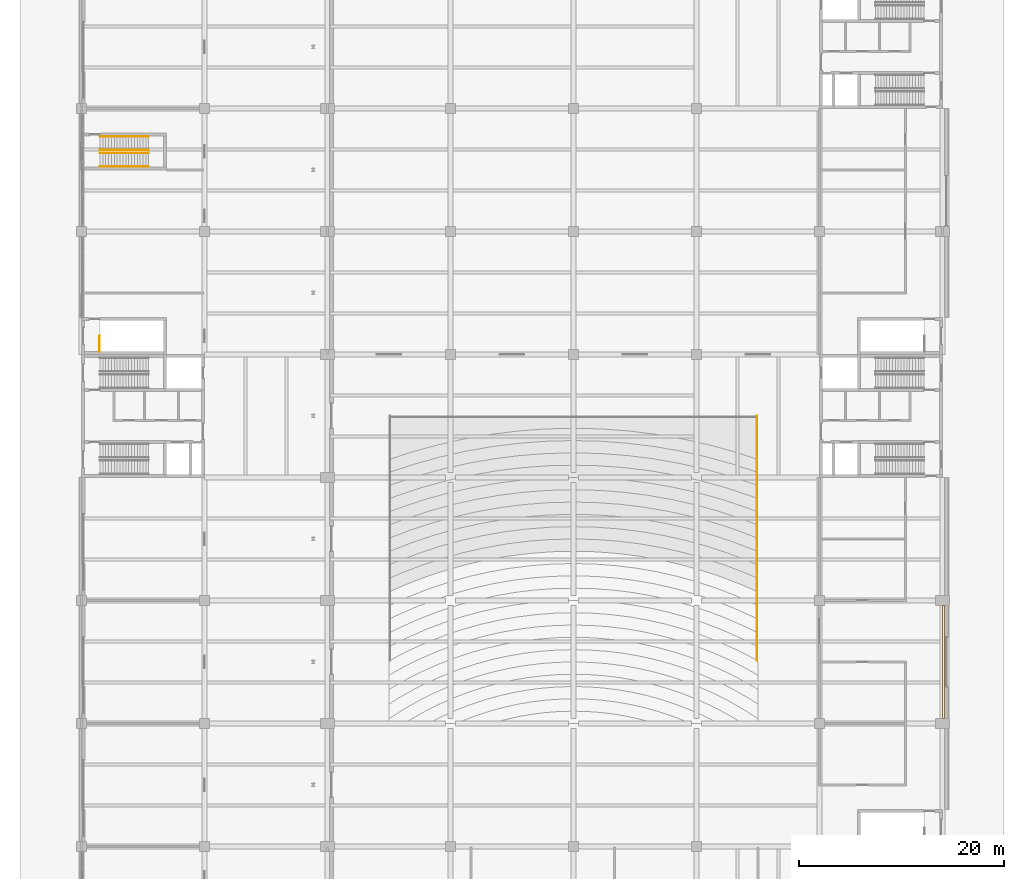
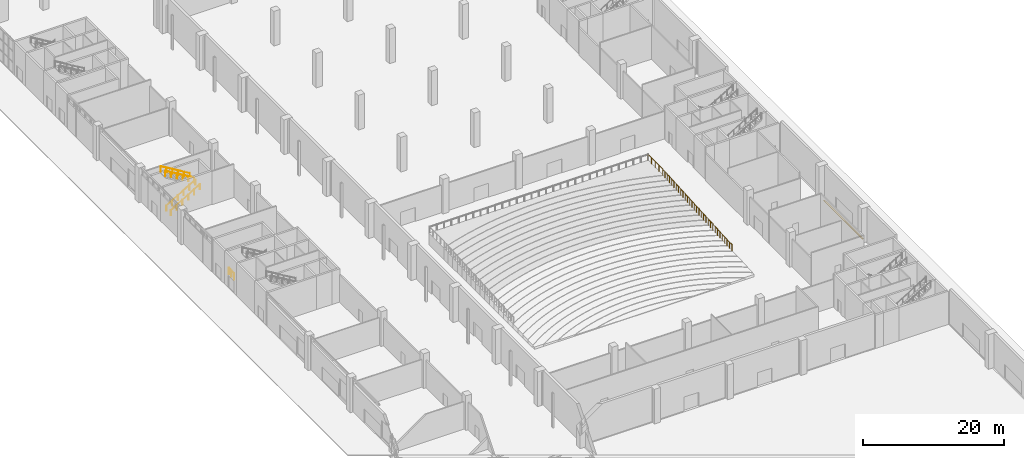
# One storey, part 56 of 59: 6 railings, 1 covering.
"""IFC4 building model written with IfcOpenShell, lengths in metres."""

from ifc_helpers import new_model, si_unit, direction, frame, origin, origin_2d, place, context, subcontext, project, spatial, polyline, circle, outline, extrude, material, layer, layer_set, constituent, constituent_set, type_object, element, save


model = new_model("IFC4")

# Units and contexts
model_context = context("Model", 3, precision=1e-05, world=origin(), true_north=direction((0.0, 1.0)))
body_context = subcontext(model_context, "Body", "Model", "MODEL_VIEW")
ifc_project = project(units=[si_unit("LENGTHUNIT", "METRE"), si_unit("AREAUNIT", "SQUARE_METRE"), si_unit("VOLUMEUNIT", "CUBIC_METRE"), si_unit("PLANEANGLEUNIT", "RADIAN"), si_unit("MASSUNIT", "GRAM", prefix="KILO")], contexts=[model_context])

# Site, building, storey
site_placement = place(None, origin())
site = spatial("IfcSite", under=ifc_project, at=site_placement, CompositionType="ELEMENT")
building_placement = place(site_placement, origin())
building = spatial("IfcBuilding", under=site, at=building_placement, Name="Lilac Gate Convention Centre", CompositionType="ELEMENT")
storey_placement = place(building_placement, origin())
storey = spatial("IfcBuildingStorey", under=building, at=storey_placement, Name="L00", CompositionType="ELEMENT", Elevation=0.0)

# Railing
ifc_material_1 = material(Name="Steel Q235B", Category="steel")
ifc_constituent_1 = constituent(ifc_material_1, Name="Frame")
ifc_material_2 = material(Name="Safety glass, bonded interlayer", Category="glass")
ifc_constituent_2 = constituent(ifc_material_2, Name="Infill")
ifc_constituent_set = constituent_set(constituents=[ifc_constituent_1, ifc_constituent_2], Name="Steel Q235B, Safety glass, bonded interlayer")
railing_type_1 = type_object("IfcRailingType", Name="Guard 1100 steel and glass", PredefinedType="GUARDRAIL", material=ifc_constituent_set)
railing_1_placement = place(storey_placement, frame((7.75, 162.300048828125, 0.0)))
element("IfcRailing", 1, at=railing_1_placement, inside=storey, type_object=railing_type_1, Name="Stairwell guard BW3", PredefinedType="GUARDRAIL", context=body_context, shape_type="SweptSolid", body=[
    extrude(circle(Radius=0.02392578125, at=origin_2d()), frame((0.0, 0.0, 1.076171875), z_axis=(0.0, 1.0, 0.0), x_axis=(-1.0, 0.0, 0.0)), (0.0, 0.0, 1.0), 1.5),
    extrude(circle(Radius=0.02099609375, at=origin_2d()), origin(), (0.0, 0.0, 1.0), 1.052001953125),
    extrude(circle(Radius=0.02099609375, at=origin_2d()), frame((0.0, 0.75, 0.0)), (0.0, 0.0, 1.0), 1.052001953125),
    extrude(circle(Radius=0.02099609375, at=origin_2d()), frame((0.0, 1.5, 0.0)), (0.0, 0.0, 1.0), 1.052001953125),
])

# Covering
ifc_material_3 = material(Name="Concrete C30", Category="concrete")
ifc_layer = layer(ifc_material_3, 0.14990234375)
ifc_layer_set = layer_set([ifc_layer], Name="Concrete C30")
covering_type = type_object("IfcCoveringType", Name="Paving slab 150", PredefinedType="FLOORING", material=ifc_layer_set)
covering_placement = place(storey_placement, frame((0.0, 0.0, -0.14990234375)))
element("IfcCovering", 2, at=covering_placement, inside=storey, type_object=covering_type, Name="Lane paving east 7", PredefinedType="FLOORING", context=body_context, shape_type="SweptSolid", body=[
    extrude(outline(polyline([(90.0, 137.5), (90.199951171875, 137.5), (90.199951171875, 126.5), (90.0, 126.5), (90.0, 137.5)])), origin(), (0.0, 0.0, 1.0), 0.14990234375),
])

# Railings
ifc_material_4 = material(Name="Stainless steel 304", Category="steel")
railing_type_2 = type_object("IfcRailingType", Name="Stair handrail 900", PredefinedType="HANDRAIL", material=ifc_material_4)
for number, where, name in (
    (3, (7.800048828125, 180.35009765625, 0.166748046875), "Stair handrail UW2"),
    (4, (7.800048828125, 181.64990234375, 0.166748046875), "Stair handrail UW2"),
):
    element("IfcRailing", number, at=place(storey_placement, frame(where)), inside=storey, type_object=railing_type_2, Name=name, PredefinedType="HANDRAIL", context=body_context, shape_type="SweptSolid", body=[
        extrude(circle(Radius=0.02392578125, at=origin_2d()), frame((0.0, 0.0, 0.8759765625), z_axis=(0.859299802514, 0.0, 0.511472237174), x_axis=(0.0, 1.0, 0.0)), (0.0, 0.0, 1.0), 5.539306640625),
        extrude(circle(Radius=0.02099609375, at=origin_2d()), origin(), (0.0, 0.0, 1.0), 0.851806640625),
        extrude(circle(Radius=0.02099609375, at=origin_2d()), frame((0.951904296875, 0.0, 0.566650390625)), (0.0, 0.0, 1.0), 0.851806640625),
        extrude(circle(Radius=0.02099609375, at=origin_2d()), frame((1.904052734375, 0.0, 1.13330078125)), (0.0, 0.0, 1.0), 0.851806640625),
        extrude(circle(Radius=0.02099609375, at=origin_2d()), frame((2.85595703125, 0.0, 1.699951171875)), (0.0, 0.0, 1.0), 0.851806640625),
        extrude(circle(Radius=0.02099609375, at=origin_2d()), frame((3.80810546875, 0.0, 2.2666015625)), (0.0, 0.0, 1.0), 0.851806640625),
        extrude(circle(Radius=0.02099609375, at=origin_2d()), frame((4.760009765625, 0.0, 2.833251953125)), (0.0, 0.0, 1.0), 0.851806640625),
    ])
for number, where, name in (
    (5, (12.56005859375, 181.949951171875, 3.166748046875), "Stair handrail UW2"),
    (6, (12.56005859375, 183.25, 3.166748046875), "Stair handrail UW2"),
):
    element("IfcRailing", number, at=place(storey_placement, frame(where)), inside=storey, type_object=railing_type_2, Name=name, PredefinedType="HANDRAIL", context=body_context, shape_type="SweptSolid", body=[
        extrude(circle(Radius=0.02392578125, at=origin_2d()), frame((0.0, 0.0, 0.8759765625), z_axis=(-0.859299802514, 0.0, 0.511472237174), x_axis=(0.0, -1.0, 0.0)), (0.0, 0.0, 1.0), 5.539306640625),
        extrude(circle(Radius=0.02099609375, at=origin_2d()), origin(), (0.0, 0.0, 1.0), 0.851806640625),
        extrude(circle(Radius=0.02099609375, at=origin_2d()), frame((-0.951904296875, 0.0, 0.566650390625)), (0.0, 0.0, 1.0), 0.851806640625),
        extrude(circle(Radius=0.02099609375, at=origin_2d()), frame((-1.904052734375, 0.0, 1.13330078125)), (0.0, 0.0, 1.0), 0.851806640625),
        extrude(circle(Radius=0.02099609375, at=origin_2d()), frame((-2.85595703125, 0.0, 1.699951171875)), (0.0, 0.0, 1.0), 0.851806640625),
        extrude(circle(Radius=0.02099609375, at=origin_2d()), frame((-3.80810546875, 0.0, 2.2666015625)), (0.0, 0.0, 1.0), 0.851806640625),
        extrude(circle(Radius=0.02099609375, at=origin_2d()), frame((-4.760009765625, 0.0, 2.833251953125)), (0.0, 0.0, 1.0), 0.851806640625),
    ])
ifc_material_5 = material(Name="Steel Q355B", Category="steel")
railing_type_3 = type_object("IfcRailingType", Name="Stalls guard 1100", PredefinedType="GUARDRAIL", material=ifc_material_5)
railing_2_placement = place(storey_placement, frame((71.89990234375, 132.1416015625, 0.800048828125)))
element("IfcRailing", 7, at=railing_2_placement, inside=storey, type_object=railing_type_3, Name="GD1 stalls east guard", PredefinedType="GUARDRAIL", context=body_context, shape_type="SweptSolid", body=[
    extrude(circle(Radius=0.02392578125, at=origin_2d()), frame((0.0, 0.0, 1.076171875), z_axis=(0.0, 1.0, 0.0), x_axis=(-1.0, 0.0, 0.0)), (0.0, 0.0, 1.0), 1.3779296875),
    extrude(circle(Radius=0.02392578125, at=origin_2d()), frame((0.0, 1.3779296875, 1.076171875), z_axis=(0.0, 0.0, 1.0), x_axis=(1.0, 0.0, 0.0)), (0.0, 0.0, 1.0), 0.079833984375),
    extrude(circle(Radius=0.02392578125, at=origin_2d()), frame((0.0, 1.3779296875, 1.15576171875), z_axis=(0.0, 1.0, 0.0), x_axis=(-1.0, 0.0, 0.0)), (0.0, 0.0, 1.0), 1.343017578125),
    extrude(circle(Radius=0.02392578125, at=origin_2d()), frame((0.0, 2.720947265625, 1.15576171875), z_axis=(0.0, 0.0, 1.0), x_axis=(1.0, 0.0, 0.0)), (0.0, 0.0, 1.0), 0.080078125),
    extrude(circle(Radius=0.02392578125, at=origin_2d()), frame((0.0, 2.720947265625, 1.23583984375), z_axis=(0.0, 1.0, 0.0), x_axis=(-1.0, 0.0, 0.0)), (0.0, 0.0, 1.0), 1.343017578125),
    extrude(circle(Radius=0.02392578125, at=origin_2d()), frame((0.0, 4.06396484375, 1.23583984375), z_axis=(0.0, 0.0, 1.0), x_axis=(1.0, 0.0, 0.0)), (0.0, 0.0, 1.0), 0.080078125),
    extrude(circle(Radius=0.02392578125, at=origin_2d()), frame((0.0, 4.06396484375, 1.31591796875), z_axis=(0.0, 1.0, 0.0), x_axis=(-1.0, 0.0, 0.0)), (0.0, 0.0, 1.0), 1.34326171875),
    extrude(circle(Radius=0.02392578125, at=origin_2d()), frame((0.0, 5.4072265625, 1.31591796875), z_axis=(0.0, 0.0, 1.0), x_axis=(1.0, 0.0, 0.0)), (0.0, 0.0, 1.0), 0.080078125),
    extrude(circle(Radius=0.02392578125, at=origin_2d()), frame((0.0, 5.4072265625, 1.39599609375), z_axis=(0.0, 1.0, 0.0), x_axis=(-1.0, 0.0, 0.0)), (0.0, 0.0, 1.0), 1.31884765625),
    extrude(circle(Radius=0.02392578125, at=origin_2d()), frame((0.0, 6.72607421875, 1.39599609375), z_axis=(0.0, 0.0, 1.0), x_axis=(1.0, 0.0, 0.0)), (0.0, 0.0, 1.0), 0.079833984375),
    extrude(circle(Radius=0.02392578125, at=origin_2d()), frame((0.0, 6.72607421875, 1.47607421875), z_axis=(0.0, 1.0, 0.0), x_axis=(-1.0, 0.0, 0.0)), (0.0, 0.0, 1.0), 1.312255859375),
    extrude(circle(Radius=0.02392578125, at=origin_2d()), frame((0.0, 8.038330078125, 1.47607421875), z_axis=(0.0, 0.0, 1.0), x_axis=(1.0, 0.0, 0.0)), (0.0, 0.0, 1.0), 0.080078125),
    extrude(circle(Radius=0.02392578125, at=origin_2d()), frame((0.0, 8.038330078125, 1.55615234375), z_axis=(0.0, 1.0, 0.0), x_axis=(-1.0, 0.0, 0.0)), (0.0, 0.0, 1.0), 1.312255859375),
    extrude(circle(Radius=0.02392578125, at=origin_2d()), frame((0.0, 9.3505859375, 1.55615234375), z_axis=(0.0, 0.0, 1.0), x_axis=(1.0, 0.0, 0.0)), (0.0, 0.0, 1.0), 0.080078125),
    extrude(circle(Radius=0.02392578125, at=origin_2d()), frame((0.0, 9.3505859375, 1.63623046875), z_axis=(0.0, 1.0, 0.0), x_axis=(-1.0, 0.0, 0.0)), (0.0, 0.0, 1.0), 1.312255859375),
    extrude(circle(Radius=0.02392578125, at=origin_2d()), frame((0.0, 10.662841796875, 1.63623046875), z_axis=(0.0, 0.0, 1.0), x_axis=(1.0, 0.0, 0.0)), (0.0, 0.0, 1.0), 0.079833984375),
    extrude(circle(Radius=0.02392578125, at=origin_2d()), frame((0.0, 10.662841796875, 1.7158203125), z_axis=(0.0, 1.0, 0.0), x_axis=(-1.0, 0.0, 0.0)), (0.0, 0.0, 1.0), 1.2939453125),
    extrude(circle(Radius=0.02392578125, at=origin_2d()), frame((0.0, 11.956787109375, 1.7158203125), z_axis=(0.0, 0.0, 1.0), x_axis=(1.0, 0.0, 0.0)), (0.0, 0.0, 1.0), 0.080078125),
    extrude(circle(Radius=0.02392578125, at=origin_2d()), frame((0.0, 11.956787109375, 1.7958984375), z_axis=(0.0, 1.0, 0.0), x_axis=(-1.0, 0.0, 0.0)), (0.0, 0.0, 1.0), 1.285888671875),
    extrude(circle(Radius=0.02392578125, at=origin_2d()), frame((0.0, 13.24267578125, 1.7958984375), z_axis=(0.0, 0.0, 1.0), x_axis=(1.0, 0.0, 0.0)), (0.0, 0.0, 1.0), 0.080078125),
    extrude(circle(Radius=0.02392578125, at=origin_2d()), frame((0.0, 13.24267578125, 1.8759765625), z_axis=(0.0, 1.0, 0.0), x_axis=(-1.0, 0.0, 0.0)), (0.0, 0.0, 1.0), 1.285888671875),
    extrude(circle(Radius=0.02392578125, at=origin_2d()), frame((0.0, 14.528564453125, 1.8759765625), z_axis=(0.0, 0.0, 1.0), x_axis=(1.0, 0.0, 0.0)), (0.0, 0.0, 1.0), 0.079833984375),
    extrude(circle(Radius=0.02392578125, at=origin_2d()), frame((0.0, 14.528564453125, 1.9560546875), z_axis=(0.0, 1.0, 0.0), x_axis=(-1.0, 0.0, 0.0)), (0.0, 0.0, 1.0), 1.28564453125),
    extrude(circle(Radius=0.02392578125, at=origin_2d()), frame((0.0, 15.814208984375, 1.9560546875), z_axis=(0.0, 0.0, 1.0), x_axis=(1.0, 0.0, 0.0)), (0.0, 0.0, 1.0), 0.080078125),
    extrude(circle(Radius=0.02392578125, at=origin_2d()), frame((0.0, 15.814208984375, 2.0361328125), z_axis=(0.0, 1.0, 0.0), x_axis=(-1.0, 0.0, 0.0)), (0.0, 0.0, 1.0), 1.285888671875),
    extrude(circle(Radius=0.02392578125, at=origin_2d()), frame((0.0, 17.10009765625, 2.0361328125), z_axis=(0.0, 0.0, 1.0), x_axis=(1.0, 0.0, 0.0)), (0.0, 0.0, 1.0), 0.080078125),
    extrude(circle(Radius=0.02392578125, at=origin_2d()), frame((0.0, 17.10009765625, 2.1162109375), z_axis=(0.0, 1.0, 0.0), x_axis=(-1.0, 0.0, 0.0)), (0.0, 0.0, 1.0), 1.277099609375),
    extrude(circle(Radius=0.02392578125, at=origin_2d()), frame((0.0, 18.377197265625, 2.1162109375), z_axis=(0.0, 0.0, 1.0), x_axis=(1.0, 0.0, 0.0)), (0.0, 0.0, 1.0), 0.079833984375),
    extrude(circle(Radius=0.02392578125, at=origin_2d()), frame((0.0, 18.377197265625, 2.19580078125), z_axis=(0.0, 1.0, 0.0), x_axis=(-1.0, 0.0, 0.0)), (0.0, 0.0, 1.0), 1.263427734375),
    extrude(circle(Radius=0.02392578125, at=origin_2d()), frame((0.0, 19.640625, 2.19580078125), z_axis=(0.0, 0.0, 1.0), x_axis=(1.0, 0.0, 0.0)), (0.0, 0.0, 1.0), 0.080078125),
    extrude(circle(Radius=0.02392578125, at=origin_2d()), frame((0.0, 19.640625, 2.27587890625), z_axis=(0.0, 1.0, 0.0), x_axis=(-1.0, 0.0, 0.0)), (0.0, 0.0, 1.0), 4.2177734375),
    extrude(circle(Radius=0.02099609375, at=origin_2d()), origin(), (0.0, 0.0, 1.0), 1.052001953125),
    extrude(circle(Radius=0.02099609375, at=origin_2d()), frame((0.0, 0.68896484375, 0.0)), (0.0, 0.0, 1.0), 1.052001953125),
    extrude(circle(Radius=0.02099609375, at=origin_2d()), frame((0.0, 1.3779296875, 0.0)), (0.0, 0.0, 1.0), 1.052001953125),
    extrude(circle(Radius=0.02099609375, at=origin_2d()), frame((0.0, 1.3779296875, 0.079833984375)), (0.0, 0.0, 1.0), 1.052001953125),
    extrude(circle(Radius=0.02099609375, at=origin_2d()), frame((0.0, 2.04931640625, 0.079833984375)), (0.0, 0.0, 1.0), 1.052001953125),
    extrude(circle(Radius=0.02099609375, at=origin_2d()), frame((0.0, 2.720947265625, 0.079833984375)), (0.0, 0.0, 1.0), 1.052001953125),
    extrude(circle(Radius=0.02099609375, at=origin_2d()), frame((0.0, 2.720947265625, 0.159912109375)), (0.0, 0.0, 1.0), 1.052001953125),
    extrude(circle(Radius=0.02099609375, at=origin_2d()), frame((0.0, 3.392578125, 0.159912109375)), (0.0, 0.0, 1.0), 1.052001953125),
    extrude(circle(Radius=0.02099609375, at=origin_2d()), frame((0.0, 4.06396484375, 0.159912109375)), (0.0, 0.0, 1.0), 1.052001953125),
    extrude(circle(Radius=0.02099609375, at=origin_2d()), frame((0.0, 4.06396484375, 0.239990234375)), (0.0, 0.0, 1.0), 1.052001953125),
    extrude(circle(Radius=0.02099609375, at=origin_2d()), frame((0.0, 4.735595703125, 0.239990234375)), (0.0, 0.0, 1.0), 1.052001953125),
    extrude(circle(Radius=0.02099609375, at=origin_2d()), frame((0.0, 5.4072265625, 0.239990234375)), (0.0, 0.0, 1.0), 1.052001953125),
    extrude(circle(Radius=0.02099609375, at=origin_2d()), frame((0.0, 5.4072265625, 0.320068359375)), (0.0, 0.0, 1.0), 1.052001953125),
    extrude(circle(Radius=0.02099609375, at=origin_2d()), frame((0.0, 6.066650390625, 0.320068359375)), (0.0, 0.0, 1.0), 1.052001953125),
    extrude(circle(Radius=0.02099609375, at=origin_2d()), frame((0.0, 6.72607421875, 0.320068359375)), (0.0, 0.0, 1.0), 1.052001953125),
    extrude(circle(Radius=0.02099609375, at=origin_2d()), frame((0.0, 6.72607421875, 0.39990234375)), (0.0, 0.0, 1.0), 1.052001953125),
    extrude(circle(Radius=0.02099609375, at=origin_2d()), frame((0.0, 7.38232421875, 0.39990234375)), (0.0, 0.0, 1.0), 1.052001953125),
    extrude(circle(Radius=0.02099609375, at=origin_2d()), frame((0.0, 8.038330078125, 0.39990234375)), (0.0, 0.0, 1.0), 1.052001953125),
    extrude(circle(Radius=0.02099609375, at=origin_2d()), frame((0.0, 8.038330078125, 0.47998046875)), (0.0, 0.0, 1.0), 1.052001953125),
    extrude(circle(Radius=0.02099609375, at=origin_2d()), frame((0.0, 8.6943359375, 0.47998046875)), (0.0, 0.0, 1.0), 1.052001953125),
    extrude(circle(Radius=0.02099609375, at=origin_2d()), frame((0.0, 9.3505859375, 0.47998046875)), (0.0, 0.0, 1.0), 1.052001953125),
    extrude(circle(Radius=0.02099609375, at=origin_2d()), frame((0.0, 9.3505859375, 0.56005859375)), (0.0, 0.0, 1.0), 1.052001953125),
    extrude(circle(Radius=0.02099609375, at=origin_2d()), frame((0.0, 10.0068359375, 0.56005859375)), (0.0, 0.0, 1.0), 1.052001953125),
    extrude(circle(Radius=0.02099609375, at=origin_2d()), frame((0.0, 10.662841796875, 0.56005859375)), (0.0, 0.0, 1.0), 1.052001953125),
    extrude(circle(Radius=0.02099609375, at=origin_2d()), frame((0.0, 10.662841796875, 0.639892578125)), (0.0, 0.0, 1.0), 1.052001953125),
    extrude(circle(Radius=0.02099609375, at=origin_2d()), frame((0.0, 11.309814453125, 0.639892578125)), (0.0, 0.0, 1.0), 1.052001953125),
    extrude(circle(Radius=0.02099609375, at=origin_2d()), frame((0.0, 11.956787109375, 0.639892578125)), (0.0, 0.0, 1.0), 1.052001953125),
    extrude(circle(Radius=0.02099609375, at=origin_2d()), frame((0.0, 11.956787109375, 0.719970703125)), (0.0, 0.0, 1.0), 1.052001953125),
    extrude(circle(Radius=0.02099609375, at=origin_2d()), frame((0.0, 12.599609375, 0.719970703125)), (0.0, 0.0, 1.0), 1.052001953125),
    extrude(circle(Radius=0.02099609375, at=origin_2d()), frame((0.0, 13.24267578125, 0.719970703125)), (0.0, 0.0, 1.0), 1.052001953125),
    extrude(circle(Radius=0.02099609375, at=origin_2d()), frame((0.0, 13.24267578125, 0.800048828125)), (0.0, 0.0, 1.0), 1.052001953125),
    extrude(circle(Radius=0.02099609375, at=origin_2d()), frame((0.0, 13.8857421875, 0.800048828125)), (0.0, 0.0, 1.0), 1.052001953125),
    extrude(circle(Radius=0.02099609375, at=origin_2d()), frame((0.0, 14.528564453125, 0.800048828125)), (0.0, 0.0, 1.0), 1.052001953125),
    extrude(circle(Radius=0.02099609375, at=origin_2d()), frame((0.0, 14.528564453125, 0.8798828125)), (0.0, 0.0, 1.0), 1.052001953125),
    extrude(circle(Radius=0.02099609375, at=origin_2d()), frame((0.0, 15.17138671875, 0.8798828125)), (0.0, 0.0, 1.0), 1.052001953125),
    extrude(circle(Radius=0.02099609375, at=origin_2d()), frame((0.0, 15.814208984375, 0.8798828125)), (0.0, 0.0, 1.0), 1.052001953125),
    extrude(circle(Radius=0.02099609375, at=origin_2d()), frame((0.0, 15.814208984375, 0.9599609375)), (0.0, 0.0, 1.0), 1.052001953125),
    extrude(circle(Radius=0.02099609375, at=origin_2d()), frame((0.0, 16.45703125, 0.9599609375)), (0.0, 0.0, 1.0), 1.052001953125),
    extrude(circle(Radius=0.02099609375, at=origin_2d()), frame((0.0, 17.10009765625, 0.9599609375)), (0.0, 0.0, 1.0), 1.052001953125),
    extrude(circle(Radius=0.02099609375, at=origin_2d()), frame((0.0, 17.10009765625, 1.0400390625)), (0.0, 0.0, 1.0), 1.052001953125),
    extrude(circle(Radius=0.02099609375, at=origin_2d()), frame((0.0, 17.73876953125, 1.0400390625)), (0.0, 0.0, 1.0), 1.052001953125),
    extrude(circle(Radius=0.02099609375, at=origin_2d()), frame((0.0, 18.377197265625, 1.0400390625)), (0.0, 0.0, 1.0), 1.052001953125),
    extrude(circle(Radius=0.02099609375, at=origin_2d()), frame((0.0, 18.377197265625, 1.119873046875)), (0.0, 0.0, 1.0), 1.052001953125),
    extrude(circle(Radius=0.02099609375, at=origin_2d()), frame((0.0, 19.0087890625, 1.119873046875)), (0.0, 0.0, 1.0), 1.052001953125),
    extrude(circle(Radius=0.02099609375, at=origin_2d()), frame((0.0, 19.640625, 1.119873046875)), (0.0, 0.0, 1.0), 1.052001953125),
    extrude(circle(Radius=0.02099609375, at=origin_2d()), frame((0.0, 19.640625, 1.199951171875)), (0.0, 0.0, 1.0), 1.052001953125),
    extrude(circle(Radius=0.02099609375, at=origin_2d()), frame((0.0, 20.695068359375, 1.199951171875)), (0.0, 0.0, 1.0), 1.052001953125),
    extrude(circle(Radius=0.02099609375, at=origin_2d()), frame((0.0, 21.74951171875, 1.199951171875)), (0.0, 0.0, 1.0), 1.052001953125),
    extrude(circle(Radius=0.02099609375, at=origin_2d()), frame((0.0, 22.803955078125, 1.199951171875)), (0.0, 0.0, 1.0), 1.052001953125),
    extrude(circle(Radius=0.02099609375, at=origin_2d()), frame((0.0, 23.8583984375, 1.199951171875)), (0.0, 0.0, 1.0), 1.052001953125),
])

save(model, "model.ifc")
